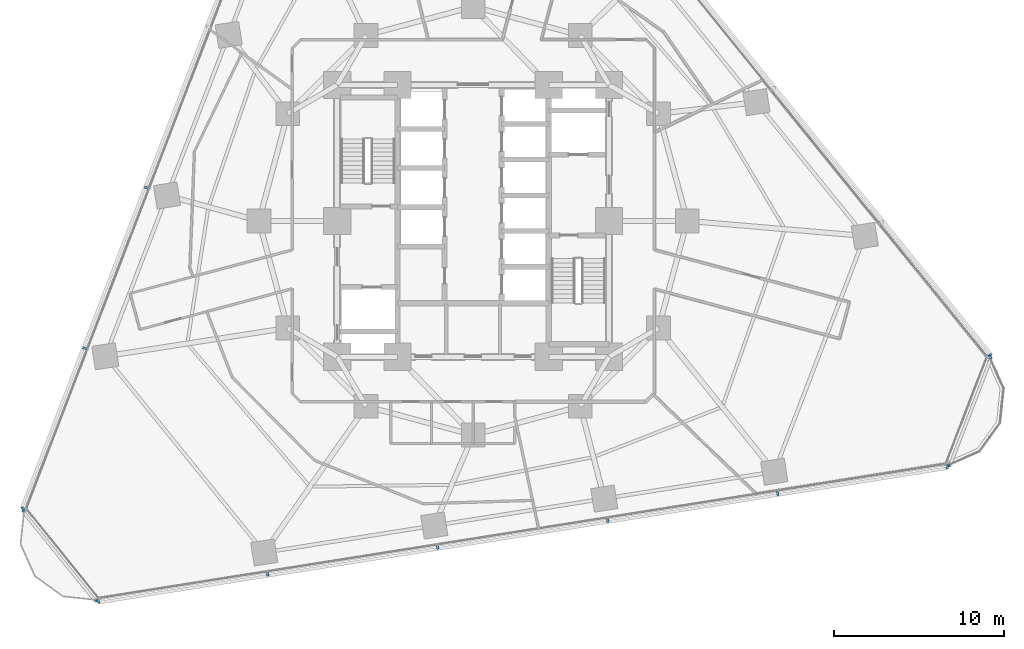
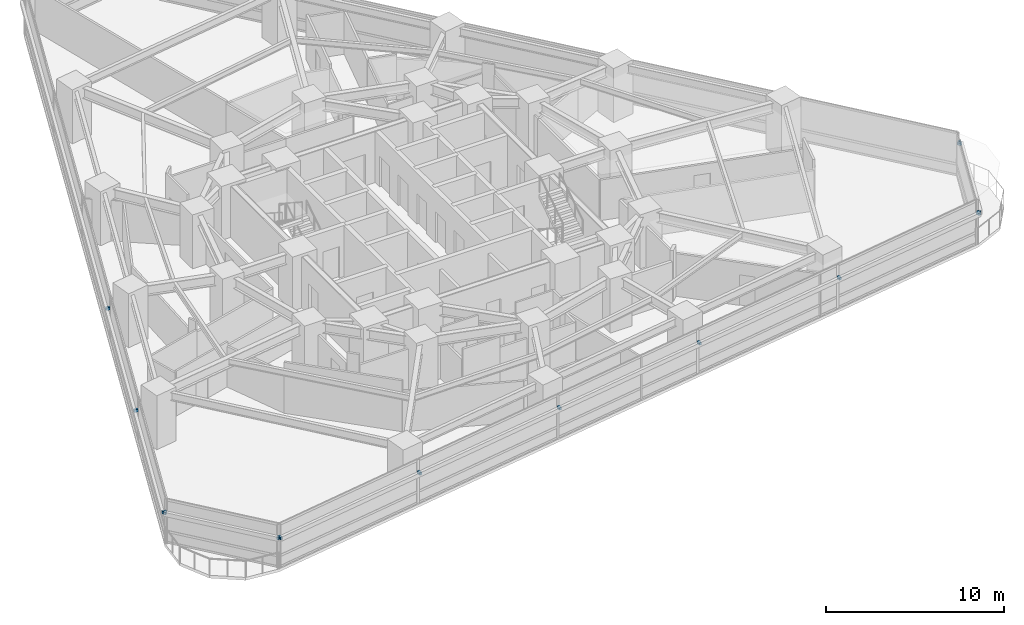
# One storey, part 10 of 14: 14 discrete accessories.
"""IFC4 building model written with IfcOpenShell, lengths in metres."""

from ifc_helpers import new_model, si_unit, direction, frame, origin, origin_2d, place, context, subcontext, project, spatial, rectangle, extrude, material, type_object, element, save


model = new_model("IFC4")

# Units and contexts
model_context = context("Model", 3, precision=1e-05, world=origin(), true_north=direction((0.0, 1.0)))
body_context = subcontext(model_context, "Body", "Model", "MODEL_VIEW")
ifc_project = project(units=[si_unit("LENGTHUNIT", "METRE"), si_unit("AREAUNIT", "SQUARE_METRE"), si_unit("VOLUMEUNIT", "CUBIC_METRE"), si_unit("PLANEANGLEUNIT", "RADIAN"), si_unit("MASSUNIT", "GRAM", prefix="KILO")], contexts=[model_context])

# Site, building, storey
site_placement = place(None, origin())
site = spatial("IfcSite", under=ifc_project, at=site_placement, CompositionType="ELEMENT")
building_placement = place(site_placement, origin())
building = spatial("IfcBuilding", under=site, at=building_placement, Name="Terralouvre Media Tower", CompositionType="ELEMENT")
storey_placement = place(building_placement, frame((0.0, 0.0, 70.39990234375)))
storey = spatial("IfcBuildingStorey", under=building, at=storey_placement, Name="L17", CompositionType="ELEMENT", Elevation=70.39990234375)

# Discrete accessories
ifc_material = material(Name="Anodised extruded aluminium 6063-T6", Category="aluminium")
discrete_accessory_type = type_object("IfcDiscreteAccessoryType", Name="Mullion Stand-Off Baguette Fixing Bracket BK-01", PredefinedType="BRACKET", material=ifc_material)
for number, where, z_axis, x_axis, name in (
    (1, (-22.055419921875, -22.364013671875, 2.07421875), (0.0, 0.0, 1.0), (0.987688340934, 0.156434462903, 0.0), "CW-L17-F0 Baguette Outrigger Bracket 1.01"),
    (2, (-12.08935546875, -20.78564453125, 2.07421875), (0.0, 0.0, 1.0), (0.987688340934, 0.156434462903, 0.0), "CW-L17-F0 Baguette Outrigger Bracket 1.02"),
    (3, (-2.0859375, -19.201171875, 2.07421875), (0.0, 0.0, 1.0), (0.987688340934, 0.156434462903, 0.0), "CW-L17-F0 Baguette Outrigger Bracket 1.03"),
    (4, (7.91748046875, -17.616943359375, 2.07421875), (0.0, 0.0, 1.0), (0.987688340934, 0.156434462903, 0.0), "CW-L17-F0 Baguette Outrigger Bracket 1.04"),
    (5, (17.920654296875, -16.032470703125, 2.07421875), (0.0, 0.0, 1.0), (0.987688340934, 0.156434462903, 0.0), "CW-L17-F0 Baguette Outrigger Bracket 1.05"),
    (6, (27.886962890625, -14.4541015625, 2.07421875), (0.0, 0.0, 1.0), (0.987688340934, 0.156434462903, 0.0), "CW-L17-F0 Baguette Outrigger Bracket 1.06"),
    (7, (30.395751953125, -7.918701171875, 2.07421875), (0.0, 0.0, 1.0), (-0.629320350521, 0.777145994276, 0.0), "CW-L17-F1 Baguette Outrigger Bracket 1.01"),
    (8, (-19.21533203125, 1.951904296875, 2.07421875), (0.0, 0.0, 1.0), (-0.358367917006, -0.933580438988, 0.0), "CW-L17-F2 Baguette Outrigger Bracket 1.04"),
    (9, (-22.844970703125, -7.50341796875, 2.07421875), (0.0, 0.0, 1.0), (-0.358367917006, -0.933580438988, 0.0), "CW-L17-F2 Baguette Outrigger Bracket 1.05"),
    (10, (-26.4609375, -16.923828125, 2.07421875), (0.0, 0.0, 1.0), (-0.358367917006, -0.933580438988, 0.0), "CW-L17-F2 Baguette Outrigger Bracket 1.06"),
    (11, (-26.428955078125, -17.014892578125, 2.07421875), (0.0, 0.0, 1.0), (0.629320031936, -0.777146252262, 0.0), "CW-L17-C0 Baguette Outrigger Bracket 1.01"),
    (12, (-22.137939453125, -22.31396484375, 2.07421875), (0.0, 0.0, 1.0), (0.629320031936, -0.777146252262, 0.0), "CW-L17-C0 Baguette Outrigger Bracket 1.02"),
    (13, (27.949951171875, -14.380859375, 2.07421875), (0.0, 0.0, 1.0), (0.358367472863, 0.933580609478, 0.0), "CW-L17-C1 Baguette Outrigger Bracket 1.01"),
    (14, (30.393310546875, -8.01513671875, 2.07421875), (0.0, 0.0, 1.0), (0.358367472863, 0.933580609478, 0.0), "CW-L17-C1 Baguette Outrigger Bracket 1.02"),
):
    element("IfcDiscreteAccessory", number, at=place(storey_placement, frame(where, z_axis=z_axis, x_axis=x_axis)), inside=storey, type_object=discrete_accessory_type, Name=name, PredefinedType="BRACKET", context=body_context, shape_type="SweptSolid", body=[
        extrude(rectangle(XDim=0.139892578125, YDim=0.239990234375, at=origin_2d()), origin(), (0.0, 0.0, 1.0), 0.179931640625),
    ])

save(model, "model.ifc")
